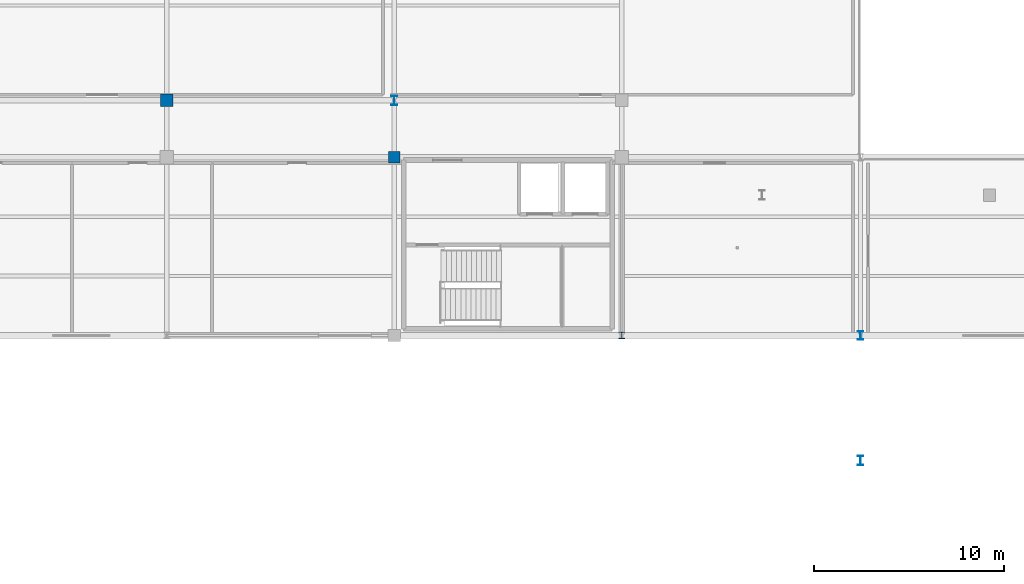
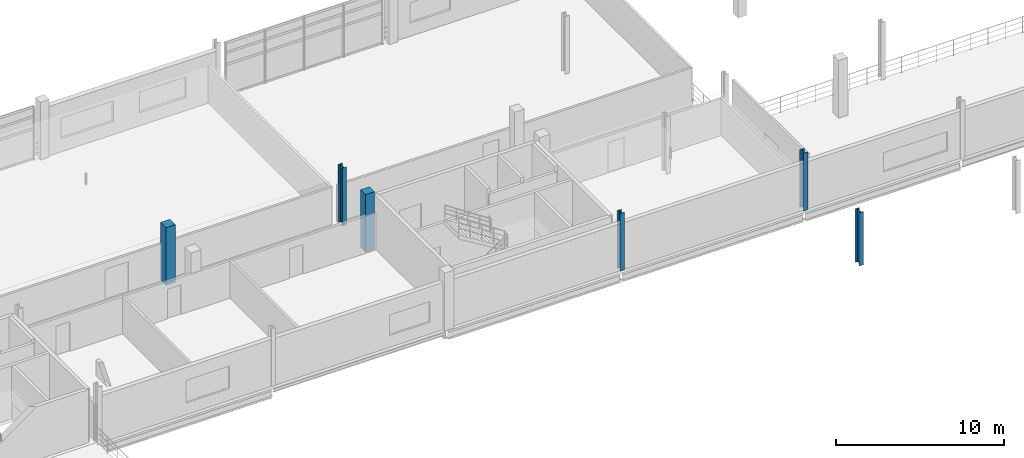
# One storey, part 14 of 89: 6 columns.
"""IFC4 building model written with IfcOpenShell, lengths in metres."""

from ifc_helpers import new_model, si_unit, direction, frame, origin, origin_2d, place, context, subcontext, project, spatial, rectangle, i_section, extrude, material, material_profile, profile_set, type_object, element, save


model = new_model("IFC4")

# Units and contexts
model_context = context("Model", 3, precision=1e-05, world=origin(), true_north=direction((0.0, 1.0)))
body_context = subcontext(model_context, "Body", "Model", "MODEL_VIEW")
ifc_project = project(units=[si_unit("LENGTHUNIT", "METRE"), si_unit("AREAUNIT", "SQUARE_METRE"), si_unit("VOLUMEUNIT", "CUBIC_METRE"), si_unit("PLANEANGLEUNIT", "RADIAN"), si_unit("MASSUNIT", "GRAM", prefix="KILO"), si_unit("THERMODYNAMICTEMPERATUREUNIT", "KELVIN"), si_unit("POWERUNIT", "WATT")], contexts=[model_context])

# Site, building, storey
site_placement = place(None, origin())
site = spatial("IfcSite", under=ifc_project, at=site_placement, CompositionType="ELEMENT")
building_placement = place(site_placement, origin())
building = spatial("IfcBuilding", under=site, at=building_placement, Name="Solmara Park Aquatics Centre", CompositionType="ELEMENT")
storey_placement = place(building_placement, frame((0.0, 0.0, 5.39990234375)))
storey = spatial("IfcBuildingStorey", under=building, at=storey_placement, Name="L01", CompositionType="ELEMENT", Elevation=5.39990234375)

# Columns
ifc_material_1 = material(Name="Structural Steel S355", Category="steel")
ifc_material_profile_1 = material_profile(ifc_material_1, i_section(OverallWidth=0.300048828125, OverallDepth=0.449951171875, WebThickness=0.013916015625, FlangeThickness=0.02587890625, FilletRadius=0.027099609375, at=origin_2d()), Name="HEB 450")
ifc_profile_set_1 = profile_set([ifc_material_profile_1], Name="Structural Steel S355")
column_type_1 = type_object("IfcColumnType", Name="STR-COL-HEB450", PredefinedType="COLUMN", material=ifc_profile_set_1)
column_1_placement = place(storey_placement, frame((109.199951171875, 108.60009765625, 0.0), z_axis=(0.0, 0.0, 1.0), x_axis=(1.0, 0.0, 0.0)))
element("IfcColumn", 1, at=column_1_placement, inside=storey, type_object=column_type_1, Name="Column L01-0401", PredefinedType="COLUMN", context=body_context, shape_type="SweptSolid", body=[
    extrude(i_section(OverallWidth=0.300048828125, OverallDepth=0.449951171875, WebThickness=0.013916015625, FlangeThickness=0.02587890625, FilletRadius=0.027099609375, at=origin_2d()), origin(), (0.0, 0.0, 1.0), 4.2001953125),
])
ifc_material_profile_2 = material_profile(ifc_material_1, i_section(OverallWidth=0.300048828125, OverallDepth=0.5, WebThickness=0.014404296875, FlangeThickness=0.028076171875, FilletRadius=0.027099609375, at=origin_2d()), Name="HEB 500")
ifc_profile_set_2 = profile_set([ifc_material_profile_2], Name="Structural Steel S355")
column_type_2 = type_object("IfcColumnType", Name="STR-COL-HEB500", PredefinedType="COLUMN", material=ifc_profile_set_2)
column_2_placement = place(storey_placement, frame((84.60009765625, 121.0, 0.0), z_axis=(0.0, 0.0, 1.0), x_axis=(1.0, 0.0, 0.0)))
element("IfcColumn", 2, at=column_2_placement, inside=storey, type_object=column_type_2, Name="Column L01-0382", PredefinedType="COLUMN", context=body_context, shape_type="SweptSolid", body=[
    extrude(i_section(OverallWidth=0.300048828125, OverallDepth=0.5, WebThickness=0.014404296875, FlangeThickness=0.028076171875, FilletRadius=0.027099609375, at=origin_2d()), origin(), (0.0, 0.0, 1.0), 4.2001953125),
])
column_3_placement = place(storey_placement, frame((109.199951171875, 102.0, 0.0), z_axis=(0.0, 0.0, 1.0), x_axis=(1.0, 0.0, 0.0)))
element("IfcColumn", 3, at=column_3_placement, inside=storey, type_object=column_type_2, Name="Column L01-0400", PredefinedType="COLUMN", context=body_context, shape_type="SweptSolid", body=[
    extrude(i_section(OverallWidth=0.300048828125, OverallDepth=0.5, WebThickness=0.014404296875, FlangeThickness=0.028076171875, FilletRadius=0.027099609375, at=origin_2d()), origin(), (0.0, 0.0, 1.0), 3.880126953125),
])
ifc_material_2 = material(Name="Concrete C40/50", Category="concrete")
ifc_material_profile_3 = material_profile(ifc_material_2, rectangle(XDim=0.60009765625, YDim=0.60009765625, at=origin_2d()), Name="RC 600x600")
ifc_profile_set_3 = profile_set([ifc_material_profile_3], Name="Concrete C40/50")
column_type_3 = type_object("IfcColumnType", Name="STR-COL-RC600", PredefinedType="COLUMN", material=ifc_profile_set_3)
column_4_placement = place(storey_placement, frame((84.60009765625, 118.0, 0.0), z_axis=(0.0, 0.0, 1.0), x_axis=(1.0, 0.0, 0.0)))
element("IfcColumn", 4, at=column_4_placement, inside=storey, type_object=column_type_3, Name="Column L01-0381", PredefinedType="COLUMN", context=body_context, shape_type="SweptSolid", body=[
    extrude(rectangle(XDim=0.60009765625, YDim=0.60009765625, at=origin_2d()), origin(), (0.0, 0.0, 1.0), 4.2001953125),
])
ifc_material_profile_4 = material_profile(ifc_material_2, rectangle(XDim=0.64990234375, YDim=0.64990234375, at=origin_2d()), Name="RC 650x650")
ifc_profile_set_4 = profile_set([ifc_material_profile_4], Name="Concrete C40/50")
column_type_4 = type_object("IfcColumnType", Name="STR-COL-RC650", PredefinedType="COLUMN", material=ifc_profile_set_4)
column_5_placement = place(storey_placement, frame((72.60009765625, 121.0, 0.0), z_axis=(0.0, 0.0, 1.0), x_axis=(1.0, 0.0, 0.0)))
element("IfcColumn", 5, at=column_5_placement, inside=storey, type_object=column_type_4, Name="Column L01-0374", PredefinedType="COLUMN", context=body_context, shape_type="SweptSolid", body=[
    extrude(rectangle(XDim=0.64990234375, YDim=0.64990234375, at=origin_2d()), origin(), (0.0, 0.0, 1.0), 4.2001953125),
])
ifc_material_profile_5 = material_profile(ifc_material_1, i_section(OverallWidth=0.300048828125, OverallDepth=0.360107421875, WebThickness=0.012451171875, FlangeThickness=0.0224609375, FilletRadius=0.027099609375, at=origin_2d()), Name="HEB 360")
ifc_profile_set_5 = profile_set([ifc_material_profile_5], Name="Structural Steel S355")
column_type_5 = type_object("IfcColumnType", Name="STR-PIL-HEB360", PredefinedType="PILASTER", material=ifc_profile_set_5)
column_6_placement = place(storey_placement, frame((96.60009765625, 108.60009765625, 0.0), z_axis=(0.0, 0.0, 1.0), x_axis=(1.0, 0.0, 0.0)))
element("IfcColumn", 6, at=column_6_placement, inside=storey, type_object=column_type_5, Name="Column L01-0390", PredefinedType="PILASTER", context=body_context, shape_type="SweptSolid", body=[
    extrude(i_section(OverallWidth=0.300048828125, OverallDepth=0.360107421875, WebThickness=0.012451171875, FlangeThickness=0.0224609375, FilletRadius=0.027099609375, at=origin_2d()), origin(), (0.0, 0.0, 1.0), 4.2001953125),
])

save(model, "model.ifc")
